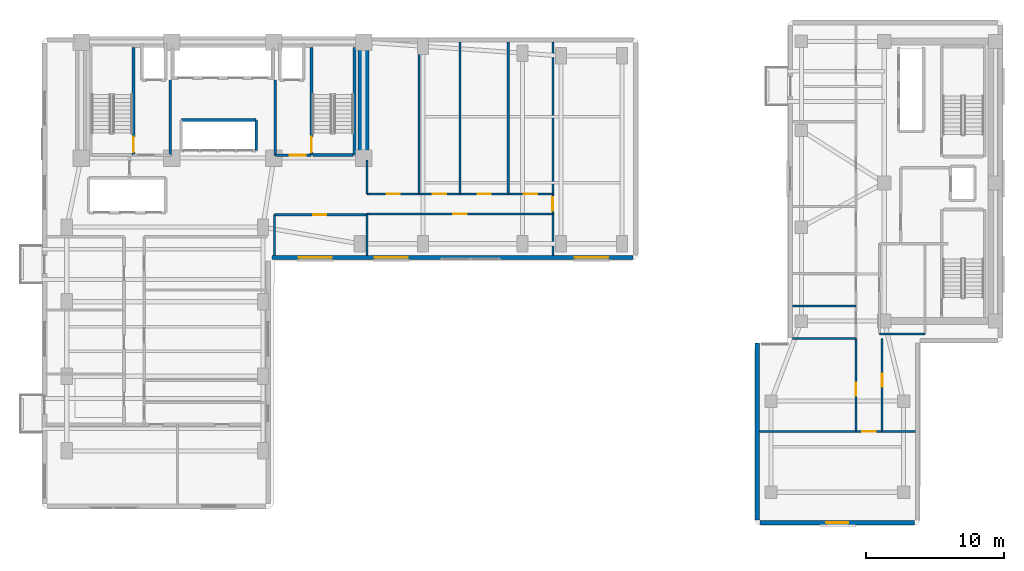
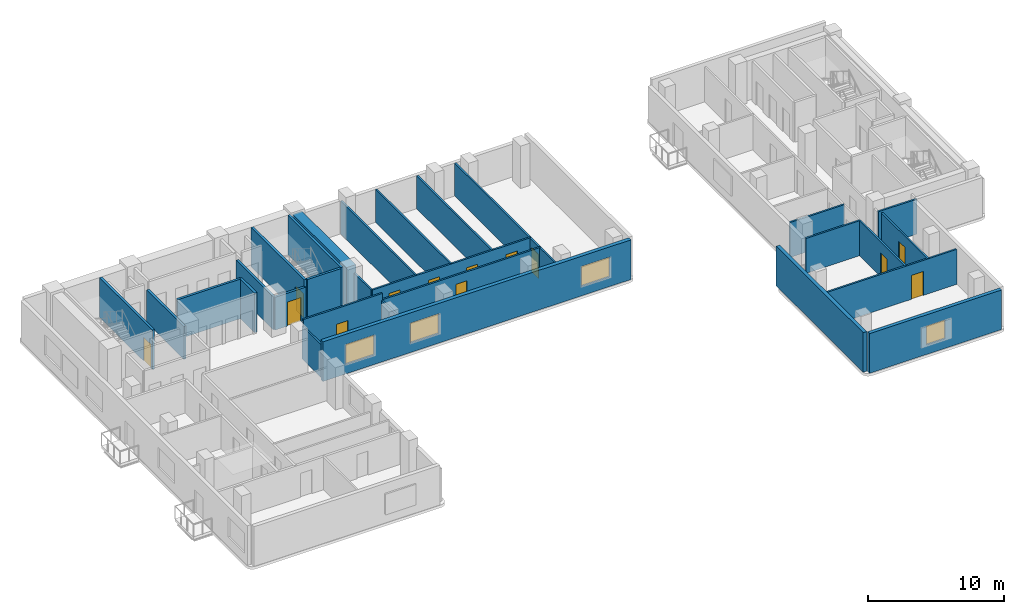
# One storey, part 10 of 16: 29 walls, 13 doors, 4 windows, 17 openings.
"""IFC4 building model written with IfcOpenShell, lengths in metres."""

from ifc_helpers import new_model, si_unit, direction, frame, frame_2d, origin, place, context, subcontext, project, spatial, rectangle, extrude, material, layer, layer_set, type_object, element, fill, save


model = new_model("IFC4")

# Units and contexts
model_context = context("Model", 3, precision=1e-05, world=origin(), true_north=direction((0.0, 1.0)))
body_context = subcontext(model_context, "Body", "Model", "MODEL_VIEW")
ifc_project = project(units=[si_unit("LENGTHUNIT", "METRE"), si_unit("AREAUNIT", "SQUARE_METRE"), si_unit("VOLUMEUNIT", "CUBIC_METRE"), si_unit("PLANEANGLEUNIT", "RADIAN"), si_unit("MASSUNIT", "GRAM", prefix="KILO")], contexts=[model_context])

# Site, building, storey
site_placement = place(None, origin())
site = spatial("IfcSite", under=ifc_project, at=site_placement, CompositionType="ELEMENT")
building_placement = place(site_placement, origin())
building = spatial("IfcBuilding", under=site, at=building_placement, Name="Kuzgunbayir Cultural Tower", CompositionType="ELEMENT")
storey_placement = place(building_placement, frame((0.0, 0.0, 75.60009765625)))
storey = spatial("IfcBuildingStorey", under=building, at=storey_placement, Name="L21", CompositionType="ELEMENT", Elevation=75.60009765625)

# Wall
ifc_material_1 = material(Name="Concrete C60/75", Category="concrete")
ifc_layer_1 = layer(ifc_material_1, 0.800048828125)
ifc_layer_set_1 = layer_set([ifc_layer_1], Name="Concrete C60/75")
wall_type_1 = type_object("IfcWallType", Name="WAL-CORE-800", PredefinedType="SHEAR", material=ifc_layer_set_1)
wall_1_placement = place(storey_placement, frame((26.89990234375, 33.800048828125, 0.0), z_axis=(0.0, 0.0, 1.0), x_axis=(0.0, 1.0, 0.0)))
element("IfcWall", 1, at=wall_1_placement, inside=storey, type_object=wall_type_1, Name="L21 T1 Core East Shear Wall", PredefinedType="SHEAR", context=body_context, shape_type="SweptSolid", body=[
    extrude(rectangle(XDim=7.949951171875, YDim=0.800048828125, at=frame_2d((3.97509765625, 0.0))), origin(), (0.0, 0.0, 1.0), 3.559814453125),
])

# Wall, opening, window
ifc_material_2 = material(Name="Anatolian Cream Limestone", Category="masonry")
ifc_layer_2 = layer(ifc_material_2, 0.300048828125)
ifc_layer_set_2 = layer_set([ifc_layer_2], Name="Anatolian Cream Limestone")
wall_type_2 = type_object("IfcWallType", Name="WAL-EXT-STONE-300", PredefinedType="STANDARD", material=ifc_layer_set_2)
wall_2_placement = place(storey_placement, frame((55.60009765625, 7.39990234375, 0.0), z_axis=(0.0, 0.0, 1.0), x_axis=(1.0, 0.0, 0.0)))
wall_2 = element("IfcWall", 2, at=wall_2_placement, inside=storey, type_object=wall_type_2, Name="L21 Companion Wing B South Wall", PredefinedType="STANDARD", context=body_context, shape_type="SweptSolid", body=[
    extrude(rectangle(XDim=11.199951171875, YDim=0.300048828125, at=frame_2d((5.60009765625, 0.0))), origin(), (0.0, 0.0, 1.0), 3.559814453125),
])
opening_1_placement = place(wall_2_placement, frame((4.800048828125, 0.0, 0.85009765625)))
opening_1 = element("IfcOpeningElement", 3, at=opening_1_placement, cuts=wall_2, Name="Opening WC-16", PredefinedType="OPENING", context=body_context, shape_type="SweptSolid", body=[
    extrude(rectangle(XDim=1.60009765625, YDim=1.699951171875, at=frame_2d((0.800048828125, 0.85009765625))), frame((0.0, 0.16015625, 0.0), z_axis=(0.0, -1.0, 0.0), x_axis=(1.0, 0.0, 0.0)), (0.0, 0.0, 1.0), 0.320068359375),
])
ifc_material_3 = material(Name="Solar-Control Triple Glazing", Category="glass")
window_type_1 = type_object("IfcWindowType", Name="WIN-COMP-16", PartitioningType="SINGLE_PANEL", PredefinedType="WINDOW", material=ifc_material_3)
window_1_placement = place(opening_1_placement, origin())
window_1 = element("IfcWindow", 4, at=window_1_placement, inside=storey, type_object=window_type_1, Name="L21 Companion South Window", OverallHeight=1.699951171875, OverallWidth=1.60009765625, PartitioningType="SINGLE_PANEL", PredefinedType="WINDOW", context=body_context, shape_type="SweptSolid", body=[
    extrude(rectangle(XDim=1.60009765625, YDim=1.699951171875, at=frame_2d((0.800048828125, 0.85009765625))), frame((0.0, 0.030029296875, 0.0), z_axis=(0.0, -1.0, 0.0), x_axis=(1.0, 0.0, 0.0)), (0.0, 0.0, 1.0), 0.06005859375),
])
fill(opening_1, window_1)

# Wall
wall_3_placement = place(storey_placement, frame((55.39990234375, 20.39990234375, 0.0), z_axis=(0.0, 0.0, 1.0), x_axis=(0.0, -1.0, 0.0)))
element("IfcWall", 5, at=wall_3_placement, inside=storey, type_object=wall_type_2, Name="L21 Companion Wing B West Wall", PredefinedType="STANDARD", context=body_context, shape_type="SweptSolid", body=[
    extrude(rectangle(XDim=12.7998046875, YDim=0.300048828125, at=frame_2d((6.39990234375, 0.0))), origin(), (0.0, 0.0, 1.0), 3.559814453125),
])

# Wall, openings, windows
ifc_material_4 = material(Name="Travertine Buff Ashlar", Category="masonry")
ifc_layer_3 = layer(ifc_material_4, 0.320068359375)
ifc_layer_set_3 = layer_set([ifc_layer_3], Name="Travertine Buff Ashlar")
wall_type_3 = type_object("IfcWallType", Name="WAL-EXT-STONE-320", PredefinedType="STANDARD", material=ifc_layer_set_3)
wall_4_placement = place(storey_placement, frame((20.25, 26.60009765625, 0.0), z_axis=(0.0, 0.0, 1.0), x_axis=(1.0, 0.0, 0.0)))
wall_4 = element("IfcWall", 6, at=wall_4_placement, inside=storey, type_object=wall_type_3, Name="L21 Wing B South Limestone Wall", PredefinedType="STANDARD", context=body_context, shape_type="SweptSolid", body=[
    extrude(rectangle(XDim=26.14990234375, YDim=0.320068359375, at=frame_2d((13.074951171875, 0.0))), origin(), (0.0, 0.0, 1.0), 3.559814453125),
])
opening_2_placement = place(wall_4_placement, frame((1.949951171875, 0.0, 0.85009765625)))
opening_2 = element("IfcOpeningElement", 7, at=opening_2_placement, cuts=wall_4, Name="Opening WO-24", PredefinedType="OPENING", context=body_context, shape_type="SweptSolid", body=[
    extrude(rectangle(XDim=2.39990234375, YDim=1.800048828125, at=frame_2d((1.199951171875, 0.89990234375))), frame((0.0, 0.169921875, 0.0), z_axis=(0.0, -1.0, 0.0), x_axis=(1.0, 0.0, 0.0)), (0.0, 0.0, 1.0), 0.340087890625),
])
opening_3_placement = place(wall_4_placement, frame((7.449951171875, 0.0, 0.85009765625)))
opening_3 = element("IfcOpeningElement", 8, at=opening_3_placement, cuts=wall_4, Name="Opening WO-24", PredefinedType="OPENING", context=body_context, shape_type="SweptSolid", body=[
    extrude(rectangle(XDim=2.39990234375, YDim=1.800048828125, at=frame_2d((1.199951171875, 0.89990234375))), frame((0.0, 0.169921875, 0.0), z_axis=(0.0, -1.0, 0.0), x_axis=(1.0, 0.0, 0.0)), (0.0, 0.0, 1.0), 0.340087890625),
])
opening_4_placement = place(wall_4_placement, frame((21.949951171875, 0.0, 0.85009765625)))
opening_4 = element("IfcOpeningElement", 9, at=opening_4_placement, cuts=wall_4, Name="Opening WO-24", PredefinedType="OPENING", context=body_context, shape_type="SweptSolid", body=[
    extrude(rectangle(XDim=2.39990234375, YDim=1.800048828125, at=frame_2d((1.199951171875, 0.89990234375))), frame((0.0, 0.169921875, 0.0), z_axis=(0.0, -1.0, 0.0), x_axis=(1.0, 0.0, 0.0)), (0.0, 0.0, 1.0), 0.340087890625),
])
window_type_2 = type_object("IfcWindowType", Name="WIN-OFFICE-24", PartitioningType="SINGLE_PANEL", PredefinedType="WINDOW", material=ifc_material_3)
window_2_placement = place(opening_2_placement, origin())
window_2 = element("IfcWindow", 10, at=window_2_placement, inside=storey, type_object=window_type_2, Name="L21 WBS Facade Window 8", OverallHeight=1.800048828125, OverallWidth=2.39990234375, PartitioningType="SINGLE_PANEL", PredefinedType="WINDOW", context=body_context, shape_type="SweptSolid", body=[
    extrude(rectangle(XDim=2.39990234375, YDim=1.800048828125, at=frame_2d((1.199951171875, 0.89990234375))), frame((0.0, 0.030029296875, 0.0), z_axis=(0.0, -1.0, 0.0), x_axis=(1.0, 0.0, 0.0)), (0.0, 0.0, 1.0), 0.06005859375),
])
fill(opening_2, window_2)
window_3_placement = place(opening_3_placement, origin())
window_3 = element("IfcWindow", 11, at=window_3_placement, inside=storey, type_object=window_type_2, Name="L21 WBS Facade Window 9", OverallHeight=1.800048828125, OverallWidth=2.39990234375, PartitioningType="SINGLE_PANEL", PredefinedType="WINDOW", context=body_context, shape_type="SweptSolid", body=[
    extrude(rectangle(XDim=2.39990234375, YDim=1.800048828125, at=frame_2d((1.199951171875, 0.89990234375))), frame((0.0, 0.030029296875, 0.0), z_axis=(0.0, -1.0, 0.0), x_axis=(1.0, 0.0, 0.0)), (0.0, 0.0, 1.0), 0.06005859375),
])
fill(opening_3, window_3)
window_4_placement = place(opening_4_placement, origin())
window_4 = element("IfcWindow", 12, at=window_4_placement, inside=storey, type_object=window_type_2, Name="L21 WBS Facade Window 10", OverallHeight=1.800048828125, OverallWidth=2.39990234375, PartitioningType="SINGLE_PANEL", PredefinedType="WINDOW", context=body_context, shape_type="SweptSolid", body=[
    extrude(rectangle(XDim=2.39990234375, YDim=1.800048828125, at=frame_2d((1.199951171875, 0.89990234375))), frame((0.0, 0.030029296875, 0.0), z_axis=(0.0, -1.0, 0.0), x_axis=(1.0, 0.0, 0.0)), (0.0, 0.0, 1.0), 0.06005859375),
])
fill(opening_4, window_4)

# Wall, opening, door
ifc_material_5 = material(Name="Acoustic Double-Stud Drywall", Category="gypsum")
ifc_layer_4 = layer(ifc_material_5, 0.14990234375)
ifc_layer_set_4 = layer_set([ifc_layer_4], Name="Acoustic Double-Stud Drywall")
wall_type_4 = type_object("IfcWallType", Name="WAL-PART-ACOUSTIC-150", PredefinedType="PARTITIONING", material=ifc_layer_set_4)
wall_5_placement = place(storey_placement, frame((20.449951171875, 29.699951171875, 0.0), z_axis=(0.0, 0.0, 1.0), x_axis=(1.0, 0.0, 0.0)))
wall_5 = element("IfcWall", 13, at=wall_5_placement, inside=storey, type_object=wall_type_4, Name="L21 Waist Alcove North Wall", PredefinedType="PARTITIONING", context=body_context, shape_type="SweptSolid", body=[
    extrude(rectangle(XDim=6.699951171875, YDim=0.14990234375, at=frame_2d((3.35009765625, 0.0))), origin(), (0.0, 0.0, 1.0), 3.559814453125),
])
opening_5_placement = place(wall_5_placement, frame((2.800048828125, 0.0, 0.0)))
opening_5 = element("IfcOpeningElement", 14, at=opening_5_placement, cuts=wall_5, Name="Opening DI-90", PredefinedType="OPENING", context=body_context, shape_type="SweptSolid", body=[
    extrude(rectangle(XDim=0.949951171875, YDim=2.14990234375, at=frame_2d((0.47509765625, 1.074951171875))), frame((0.0, 0.0849609375, 0.0), z_axis=(0.0, -1.0, 0.0), x_axis=(1.0, 0.0, 0.0)), (0.0, 0.0, 1.0), 0.169921875),
])
ifc_material_6 = material(Name="Veneered Oak Single Leaf", Category="wood")
door_type_1 = type_object("IfcDoorType", Name="DR-INT-90", OperationType="NOTDEFINED", PredefinedType="DOOR", material=ifc_material_6)
door_1_placement = place(opening_5_placement, origin())
door_1 = element("IfcDoor", 15, at=door_1_placement, inside=storey, type_object=door_type_1, Name="L21 Waist Alcove Door", OperationType="SINGLE_SWING_LEFT", OverallHeight=2.14990234375, OverallWidth=0.949951171875, PredefinedType="DOOR", context=body_context, shape_type="SweptSolid", body=[
    extrude(rectangle(XDim=0.949951171875, YDim=2.14990234375, at=frame_2d((0.47509765625, 1.074951171875))), frame((0.0, 0.02490234375, 0.0), z_axis=(0.0, -1.0, 0.0), x_axis=(1.0, 0.0, 0.0)), (0.0, 0.0, 1.0), 0.050048828125),
])
fill(opening_5, door_1)

# Walls
wall_6_placement = place(storey_placement, frame((20.449951171875, 26.75, 0.0), z_axis=(0.0, 0.0, 1.0), x_axis=(0.0, 1.0, 0.0)))
element("IfcWall", 16, at=wall_6_placement, inside=storey, type_object=wall_type_4, Name="L21 Waist Alcove West Wall", PredefinedType="PARTITIONING", context=body_context, shape_type="SweptSolid", body=[
    extrude(rectangle(XDim=2.949951171875, YDim=0.14990234375, at=frame_2d((1.47509765625, 0.0))), origin(), (0.0, 0.0, 1.0), 2.949951171875),
])
wall_7_placement = place(storey_placement, frame((27.14990234375, 26.75, 0.0), z_axis=(0.0, 0.0, 1.0), x_axis=(0.0, 1.0, 0.0)))
element("IfcWall", 17, at=wall_7_placement, inside=storey, type_object=wall_type_4, Name="L21 Waist Alcove East Wall", PredefinedType="PARTITIONING", context=body_context, shape_type="SweptSolid", body=[
    extrude(rectangle(XDim=3.0, YDim=0.14990234375, at=frame_2d((1.5, 0.0))), origin(), (0.0, 0.0, 1.0), 2.949951171875),
])

# Wall, opening, door
wall_8_placement = place(storey_placement, frame((27.14990234375, 29.75, 0.0), z_axis=(0.0, 0.0, 1.0), x_axis=(1.0, 0.0, 0.0)))
wall_8 = element("IfcWall", 18, at=wall_8_placement, inside=storey, type_object=wall_type_4, Name="L21 Wing B Corridor South Wall", PredefinedType="PARTITIONING", context=body_context, shape_type="SweptSolid", body=[
    extrude(rectangle(XDim=13.4501953125, YDim=0.14990234375, at=frame_2d((6.72509765625, 0.0))), origin(), (0.0, 0.0, 1.0), 2.949951171875),
])
opening_6_placement = place(wall_8_placement, frame((6.25, 0.0, 0.0)))
opening_6 = element("IfcOpeningElement", 19, at=opening_6_placement, cuts=wall_8, Name="Opening DI-90", PredefinedType="OPENING", context=body_context, shape_type="SweptSolid", body=[
    extrude(rectangle(XDim=0.949951171875, YDim=2.14990234375, at=frame_2d((0.47509765625, 1.074951171875))), frame((0.0, 0.0849609375, 0.0), z_axis=(0.0, -1.0, 0.0), x_axis=(1.0, 0.0, 0.0)), (0.0, 0.0, 1.0), 0.169921875),
])
door_2_placement = place(opening_6_placement, origin())
door_2 = element("IfcDoor", 20, at=door_2_placement, inside=storey, type_object=door_type_1, Name="L21 Wing B Art Publication Salon 1 Door", OperationType="SINGLE_SWING_RIGHT", OverallHeight=2.14990234375, OverallWidth=0.949951171875, PredefinedType="DOOR", context=body_context, shape_type="SweptSolid", body=[
    extrude(rectangle(XDim=0.949951171875, YDim=2.14990234375, at=frame_2d((0.47509765625, 1.074951171875))), frame((0.0, 0.02490234375, 0.0), z_axis=(0.0, -1.0, 0.0), x_axis=(1.0, 0.0, 0.0)), (0.0, 0.0, 1.0), 0.050048828125),
])
fill(opening_6, door_2)

# Wall, openings, doors
wall_9_placement = place(storey_placement, frame((27.14990234375, 31.199951171875, 0.0), z_axis=(0.0, 0.0, 1.0), x_axis=(1.0, 0.0, 0.0)))
wall_9 = element("IfcWall", 21, at=wall_9_placement, inside=storey, type_object=wall_type_4, Name="L21 Wing B Corridor North Wall", PredefinedType="PARTITIONING", context=body_context, shape_type="SweptSolid", body=[
    extrude(rectangle(XDim=13.4501953125, YDim=0.14990234375, at=frame_2d((6.72509765625, 0.0))), origin(), (0.0, 0.0, 1.0), 2.949951171875),
])
opening_7_placement = place(wall_9_placement, frame((1.409912109375, 0.0, 0.0)))
opening_7 = element("IfcOpeningElement", 22, at=opening_7_placement, cuts=wall_9, Name="Opening DI-90", PredefinedType="OPENING", context=body_context, shape_type="SweptSolid", body=[
    extrude(rectangle(XDim=0.949951171875, YDim=2.14990234375, at=frame_2d((0.47509765625, 1.074951171875))), frame((0.0, 0.0849609375, 0.0), z_axis=(0.0, -1.0, 0.0), x_axis=(1.0, 0.0, 0.0)), (0.0, 0.0, 1.0), 0.169921875),
])
opening_8_placement = place(wall_9_placement, frame((4.77001953125, 0.0, 0.0)))
opening_8 = element("IfcOpeningElement", 23, at=opening_8_placement, cuts=wall_9, Name="Opening DI-90", PredefinedType="OPENING", context=body_context, shape_type="SweptSolid", body=[
    extrude(rectangle(XDim=0.949951171875, YDim=2.14990234375, at=frame_2d((0.47509765625, 1.074951171875))), frame((0.0, 0.0849609375, 0.0), z_axis=(0.0, -1.0, 0.0), x_axis=(1.0, 0.0, 0.0)), (0.0, 0.0, 1.0), 0.169921875),
])
opening_9_placement = place(wall_9_placement, frame((8.0, 0.0, 0.0)))
opening_9 = element("IfcOpeningElement", 24, at=opening_9_placement, cuts=wall_9, Name="Opening DI-90", PredefinedType="OPENING", context=body_context, shape_type="SweptSolid", body=[
    extrude(rectangle(XDim=0.949951171875, YDim=2.14990234375, at=frame_2d((0.47509765625, 1.074951171875))), frame((0.0, 0.0849609375, 0.0), z_axis=(0.0, -1.0, 0.0), x_axis=(1.0, 0.0, 0.0)), (0.0, 0.0, 1.0), 0.169921875),
])
opening_10_placement = place(wall_9_placement, frame((11.360107421875, 0.0, 0.0)))
opening_10 = element("IfcOpeningElement", 25, at=opening_10_placement, cuts=wall_9, Name="Opening DI-90", PredefinedType="OPENING", context=body_context, shape_type="SweptSolid", body=[
    extrude(rectangle(XDim=0.949951171875, YDim=2.14990234375, at=frame_2d((0.47509765625, 1.074951171875))), frame((0.0, 0.0849609375, 0.0), z_axis=(0.0, -1.0, 0.0), x_axis=(1.0, 0.0, 0.0)), (0.0, 0.0, 1.0), 0.169921875),
])
door_3_placement = place(opening_7_placement, origin())
door_3 = element("IfcDoor", 26, at=door_3_placement, inside=storey, type_object=door_type_1, Name="L21 Wing B North Art Publication Salon 1 Door", OperationType="SINGLE_SWING_LEFT", OverallHeight=2.14990234375, OverallWidth=0.949951171875, PredefinedType="DOOR", context=body_context, shape_type="SweptSolid", body=[
    extrude(rectangle(XDim=0.949951171875, YDim=2.14990234375, at=frame_2d((0.47509765625, 1.074951171875))), frame((0.0, 0.02490234375, 0.0), z_axis=(0.0, -1.0, 0.0), x_axis=(1.0, 0.0, 0.0)), (0.0, 0.0, 1.0), 0.050048828125),
])
fill(opening_7, door_3)
door_4_placement = place(opening_8_placement, origin())
door_4 = element("IfcDoor", 27, at=door_4_placement, inside=storey, type_object=door_type_1, Name="L21 Wing B North Culinary Tasting Pantry 2 Door", OperationType="SINGLE_SWING_RIGHT", OverallHeight=2.14990234375, OverallWidth=0.949951171875, PredefinedType="DOOR", context=body_context, shape_type="SweptSolid", body=[
    extrude(rectangle(XDim=0.949951171875, YDim=2.14990234375, at=frame_2d((0.47509765625, 1.074951171875))), frame((0.0, 0.02490234375, 0.0), z_axis=(0.0, -1.0, 0.0), x_axis=(1.0, 0.0, 0.0)), (0.0, 0.0, 1.0), 0.050048828125),
])
fill(opening_8, door_4)
door_5_placement = place(opening_9_placement, origin())
door_5 = element("IfcDoor", 28, at=door_5_placement, inside=storey, type_object=door_type_1, Name="L21 Wing B North Fellows Reading Lounge 3 Door", OperationType="SINGLE_SWING_LEFT", OverallHeight=2.14990234375, OverallWidth=0.949951171875, PredefinedType="DOOR", context=body_context, shape_type="SweptSolid", body=[
    extrude(rectangle(XDim=0.949951171875, YDim=2.14990234375, at=frame_2d((0.47509765625, 1.074951171875))), frame((0.0, 0.02490234375, 0.0), z_axis=(0.0, -1.0, 0.0), x_axis=(1.0, 0.0, 0.0)), (0.0, 0.0, 1.0), 0.050048828125),
])
fill(opening_9, door_5)
door_6_placement = place(opening_10_placement, origin())
door_6 = element("IfcDoor", 29, at=door_6_placement, inside=storey, type_object=door_type_1, Name="L21 Wing B North Curatorial Office 4 Door", OperationType="SINGLE_SWING_RIGHT", OverallHeight=2.14990234375, OverallWidth=0.949951171875, PredefinedType="DOOR", context=body_context, shape_type="SweptSolid", body=[
    extrude(rectangle(XDim=0.949951171875, YDim=2.14990234375, at=frame_2d((0.47509765625, 1.074951171875))), frame((0.0, 0.02490234375, 0.0), z_axis=(0.0, -1.0, 0.0), x_axis=(1.0, 0.0, 0.0)), (0.0, 0.0, 1.0), 0.050048828125),
])
fill(opening_10, door_6)

# Wall
wall_10_placement = place(storey_placement, frame((27.14990234375, 31.199951171875, 0.0), z_axis=(0.0, 0.0, 1.0), x_axis=(0.0, 1.0, 0.0)))
element("IfcWall", 30, at=wall_10_placement, inside=storey, type_object=wall_type_4, Name="L21 Wing B North Core Closure Wall", PredefinedType="PARTITIONING", context=body_context, shape_type="SweptSolid", body=[
    extrude(rectangle(XDim=2.47998046875, YDim=0.14990234375, at=frame_2d((1.239990234375, 0.0))), origin(), (0.0, 0.0, 1.0), 2.949951171875),
])

# Wall, opening, door
wall_11_placement = place(storey_placement, frame((40.60009765625, 26.75, 0.0), z_axis=(0.0, 0.0, 1.0), x_axis=(0.0, 1.0, 0.0)))
wall_11 = element("IfcWall", 31, at=wall_11_placement, inside=storey, type_object=wall_type_4, Name="L21 Wing B East Suite Wall", PredefinedType="PARTITIONING", context=body_context, shape_type="SweptSolid", body=[
    extrude(rectangle(XDim=15.449951171875, YDim=0.14990234375, at=frame_2d((7.72509765625, 0.0))), origin(), (0.0, 0.0, 1.0), 2.949951171875),
])
opening_11_placement = place(wall_11_placement, frame((3.219970703125, 0.0, 0.0)))
opening_11 = element("IfcOpeningElement", 32, at=opening_11_placement, cuts=wall_11, Name="Opening DI-100", PredefinedType="OPENING", context=body_context, shape_type="SweptSolid", body=[
    extrude(rectangle(XDim=1.0, YDim=2.14990234375, at=frame_2d((0.5, 1.074951171875))), frame((0.0, 0.0849609375, 0.0), z_axis=(0.0, -1.0, 0.0), x_axis=(1.0, 0.0, 0.0)), (0.0, 0.0, 1.0), 0.169921875),
])
door_type_2 = type_object("IfcDoorType", Name="DR-INT-100", OperationType="NOTDEFINED", PredefinedType="DOOR", material=ifc_material_6)
door_7_placement = place(opening_11_placement, origin())
door_7 = element("IfcDoor", 33, at=door_7_placement, inside=storey, type_object=door_type_2, Name="L21 East Conference Hall Door", OperationType="SINGLE_SWING_LEFT", OverallHeight=2.14990234375, OverallWidth=1.0, PredefinedType="DOOR", context=body_context, shape_type="SweptSolid", body=[
    extrude(rectangle(XDim=1.0, YDim=2.14990234375, at=frame_2d((0.5, 1.074951171875))), frame((0.0, 0.02490234375, 0.0), z_axis=(0.0, -1.0, 0.0), x_axis=(1.0, 0.0, 0.0)), (0.0, 0.0, 1.0), 0.050048828125),
])
fill(opening_11, door_7)

# Walls
for number, where, z_axis, x_axis, name in (
    (34, (30.919921875, 31.199951171875, 0.0), (0.0, 0.0, 1.0), (0.0, 1.0, 0.0), "L21 Wing B North Partition 1"),
    (35, (33.8798828125, 31.199951171875, 0.0), (0.0, 0.0, 1.0), (0.0, 1.0, 0.0), "L21 Wing B North Partition 2"),
    (36, (37.3701171875, 31.199951171875, 0.0), (0.0, 0.0, 1.0), (0.0, 1.0, 0.0), "L21 Wing B North Partition 3"),
):
    element("IfcWall", number, at=place(storey_placement, frame(where, z_axis=z_axis, x_axis=x_axis)), inside=storey, type_object=wall_type_4, Name=name, PredefinedType="PARTITIONING", context=body_context, shape_type="SweptSolid", body=[
        extrude(rectangle(XDim=11.0, YDim=0.14990234375, at=frame_2d((5.5, 0.0))), origin(), (0.0, 0.0, 1.0), 2.949951171875),
    ])
wall_12_placement = place(storey_placement, frame((64.25, 21.050048828125, 0.0), z_axis=(0.0, 0.0, 1.0), x_axis=(1.0, 0.0, 0.0)))
element("IfcWall", 37, at=wall_12_placement, inside=storey, type_object=wall_type_4, Name="L21 Companion Archive South Wall", PredefinedType="PARTITIONING", context=body_context, shape_type="SweptSolid", body=[
    extrude(rectangle(XDim=3.300048828125, YDim=0.14990234375, at=frame_2d((1.64990234375, 0.0))), origin(), (0.0, 0.0, 1.0), 3.139892578125),
])

# Wall, opening, door
wall_13_placement = place(storey_placement, frame((62.550048828125, 14.0, 0.0), z_axis=(0.0, 0.0, 1.0), x_axis=(0.0, 1.0, 0.0)))
wall_13 = element("IfcWall", 38, at=wall_13_placement, inside=storey, type_object=wall_type_4, Name="L21 Companion South Corridor West Wall", PredefinedType="PARTITIONING", context=body_context, shape_type="SweptSolid", body=[
    extrude(rectangle(XDim=6.75, YDim=0.14990234375, at=frame_2d((3.375, 0.0))), origin(), (0.0, 0.0, 1.0), 3.139892578125),
])
opening_12_placement = place(wall_13_placement, frame((2.60009765625, 0.0, 0.0)))
opening_12 = element("IfcOpeningElement", 39, at=opening_12_placement, cuts=wall_13, Name="Opening DI-90", PredefinedType="OPENING", context=body_context, shape_type="SweptSolid", body=[
    extrude(rectangle(XDim=0.949951171875, YDim=2.14990234375, at=frame_2d((0.47509765625, 1.074951171875))), frame((0.0, 0.0849609375, 0.0), z_axis=(0.0, -1.0, 0.0), x_axis=(1.0, 0.0, 0.0)), (0.0, 0.0, 1.0), 0.169921875),
])
door_8_placement = place(opening_12_placement, origin())
door_8 = element("IfcDoor", 40, at=door_8_placement, inside=storey, type_object=door_type_1, Name="L21 Companion West Atelier Door", OperationType="SINGLE_SWING_LEFT", OverallHeight=2.14990234375, OverallWidth=0.949951171875, PredefinedType="DOOR", context=body_context, shape_type="SweptSolid", body=[
    extrude(rectangle(XDim=0.949951171875, YDim=2.14990234375, at=frame_2d((0.47509765625, 1.074951171875))), frame((0.0, 0.02490234375, 0.0), z_axis=(0.0, -1.0, 0.0), x_axis=(1.0, 0.0, 0.0)), (0.0, 0.0, 1.0), 0.050048828125),
])
fill(opening_12, door_8)

wall_14_placement = place(storey_placement, frame((55.550048828125, 14.0, 0.0), z_axis=(0.0, 0.0, 1.0), x_axis=(1.0, 0.0, 0.0)))
wall_14 = element("IfcWall", 41, at=wall_14_placement, inside=storey, type_object=wall_type_4, Name="L21 Companion South Gallery Wall", PredefinedType="PARTITIONING", context=body_context, shape_type="SweptSolid", body=[
    extrude(rectangle(XDim=11.300048828125, YDim=0.14990234375, at=frame_2d((5.64990234375, 0.0))), origin(), (0.0, 0.0, 1.0), 3.139892578125),
])
opening_13_placement = place(wall_14_placement, frame((7.449951171875, 0.0, 0.0)))
opening_13 = element("IfcOpeningElement", 42, at=opening_13_placement, cuts=wall_14, Name="Opening DI-100", PredefinedType="OPENING", context=body_context, shape_type="SweptSolid", body=[
    extrude(rectangle(XDim=1.0, YDim=2.14990234375, at=frame_2d((0.5, 1.074951171875))), frame((0.0, 0.0849609375, 0.0), z_axis=(0.0, -1.0, 0.0), x_axis=(1.0, 0.0, 0.0)), (0.0, 0.0, 1.0), 0.169921875),
])
door_9_placement = place(opening_13_placement, origin())
door_9 = element("IfcDoor", 43, at=door_9_placement, inside=storey, type_object=door_type_2, Name="L21 Companion South Salon Door", OperationType="SINGLE_SWING_LEFT", OverallHeight=2.14990234375, OverallWidth=1.0, PredefinedType="DOOR", context=body_context, shape_type="SweptSolid", body=[
    extrude(rectangle(XDim=1.0, YDim=2.14990234375, at=frame_2d((0.5, 1.074951171875))), frame((0.0, 0.02490234375, 0.0), z_axis=(0.0, -1.0, 0.0), x_axis=(1.0, 0.0, 0.0)), (0.0, 0.0, 1.0), 0.050048828125),
])
fill(opening_13, door_9)

wall_15_placement = place(storey_placement, frame((64.449951171875, 14.0, 0.0), z_axis=(0.0, 0.0, 1.0), x_axis=(0.0, 1.0, 0.0)))
wall_15 = element("IfcWall", 44, at=wall_15_placement, inside=storey, type_object=wall_type_4, Name="L21 Companion South Corridor East Wall", PredefinedType="PARTITIONING", context=body_context, shape_type="SweptSolid", body=[
    extrude(rectangle(XDim=6.75, YDim=0.14990234375, at=frame_2d((3.375, 0.0))), origin(), (0.0, 0.0, 1.0), 3.139892578125),
])
opening_14_placement = place(wall_15_placement, frame((3.239990234375, 0.0, 0.0)))
opening_14 = element("IfcOpeningElement", 45, at=opening_14_placement, cuts=wall_15, Name="Opening DI-90", PredefinedType="OPENING", context=body_context, shape_type="SweptSolid", body=[
    extrude(rectangle(XDim=0.949951171875, YDim=2.14990234375, at=frame_2d((0.47509765625, 1.074951171875))), frame((0.0, 0.0849609375, 0.0), z_axis=(0.0, -1.0, 0.0), x_axis=(1.0, 0.0, 0.0)), (0.0, 0.0, 1.0), 0.169921875),
])
door_10_placement = place(opening_14_placement, origin())
door_10 = element("IfcDoor", 46, at=door_10_placement, inside=storey, type_object=door_type_1, Name="L21 Companion East Studio Door", OperationType="SINGLE_SWING_RIGHT", OverallHeight=2.14990234375, OverallWidth=0.949951171875, PredefinedType="DOOR", context=body_context, shape_type="SweptSolid", body=[
    extrude(rectangle(XDim=0.949951171875, YDim=2.14990234375, at=frame_2d((0.47509765625, 1.074951171875))), frame((0.0, 0.02490234375, 0.0), z_axis=(0.0, -1.0, 0.0), x_axis=(1.0, 0.0, 0.0)), (0.0, 0.0, 1.0), 0.050048828125),
])
fill(opening_14, door_10)

# Walls
ifc_material_7 = material(Name="Aerated Concrete Blockwork", Category="masonry")
ifc_layer_5 = layer(ifc_material_7, 0.199951171875)
ifc_layer_set_5 = layer_set([ifc_layer_5], Name="Aerated Concrete Blockwork")
wall_type_5 = type_object("IfcWallType", Name="WAL-PART-FIRE-200", PredefinedType="PARTITIONING", material=ifc_layer_set_5)
for number, where, z_axis, x_axis, name in (
    (47, (12.89990234375, 34.0, 0.0), (0.0, 0.0, 1.0), (0.0, 1.0, 0.0), "L21 FFL-1 Lobby East Fire Wall"),
    (48, (20.5, 34.0, 0.0), (0.0, 0.0, 1.0), (0.0, 1.0, 0.0), "L21 FFL-2 Lobby West Fire Wall"),
):
    element("IfcWall", number, at=place(storey_placement, frame(where, z_axis=z_axis, x_axis=x_axis)), inside=storey, type_object=wall_type_5, Name=name, PredefinedType="PARTITIONING", context=body_context, shape_type="SweptSolid", body=[
        extrude(rectangle(XDim=5.449951171875, YDim=0.199951171875, at=frame_2d((2.72509765625, 0.0))), origin(), (0.0, 0.0, 1.0), 2.949951171875),
    ])

# Wall, opening, door
wall_16_placement = place(storey_placement, frame((20.5, 34.0, 0.0), z_axis=(0.0, 0.0, 1.0), x_axis=(1.0, 0.0, 0.0)))
wall_16 = element("IfcWall", 49, at=wall_16_placement, inside=storey, type_object=wall_type_5, Name="L21 FFL-2 Lobby South Fire Wall", PredefinedType="PARTITIONING", context=body_context, shape_type="SweptSolid", body=[
    extrude(rectangle(XDim=2.60009765625, YDim=0.199951171875, at=frame_2d((1.300048828125, 0.0))), origin(), (0.0, 0.0, 1.0), 2.949951171875),
])
opening_15_placement = place(wall_16_placement, frame((1.050048828125, 0.0, 0.0)))
opening_15 = element("IfcOpeningElement", 50, at=opening_15_placement, cuts=wall_16, Name="Opening DR-FFL-90", PredefinedType="OPENING", context=body_context, shape_type="SweptSolid", body=[
    extrude(rectangle(XDim=1.14990234375, YDim=2.14990234375, at=frame_2d((0.574951171875, 1.074951171875))), frame((0.0, 0.10986328125, 0.0), z_axis=(0.0, -1.0, 0.0), x_axis=(1.0, 0.0, 0.0)), (0.0, 0.0, 1.0), 0.219970703125),
])
ifc_material_8 = material(Name="Steel S355J2", Category="steel")
door_type_3 = type_object("IfcDoorType", Name="DR-FFL-90", OperationType="NOTDEFINED", PredefinedType="DOOR", material=ifc_material_8)
door_11_placement = place(opening_15_placement, origin())
door_11 = element("IfcDoor", 51, at=door_11_placement, inside=storey, type_object=door_type_3, Name="L21 Firefighting Lobby 2 Door", OperationType="SINGLE_SWING_RIGHT", OverallHeight=2.14990234375, OverallWidth=1.14990234375, PredefinedType="DOOR", context=body_context, shape_type="SweptSolid", body=[
    extrude(rectangle(XDim=1.14990234375, YDim=2.14990234375, at=frame_2d((0.574951171875, 1.074951171875))), frame((0.0, 0.02490234375, 0.0), z_axis=(0.0, -1.0, 0.0), x_axis=(1.0, 0.0, 0.0)), (0.0, 0.0, 1.0), 0.050048828125),
])
fill(opening_15, door_11)

# Walls
ifc_material_9 = material(Name="Moisture-Resistant Tile Partition", Category="gypsum")
ifc_layer_6 = layer(ifc_material_9, 0.14990234375)
ifc_layer_set_6 = layer_set([ifc_layer_6], Name="Moisture-Resistant Tile Partition")
wall_type_6 = type_object("IfcWallType", Name="WAL-PART-WET-150", PredefinedType="PARTITIONING", material=ifc_layer_set_6)
for number, where, z_axis, x_axis, name in (
    (52, (57.949951171875, 20.75, 0.0), (0.0, 0.0, 1.0), (1.0, 0.0, 0.0), "L21 Companion WC South Wall"),
    (53, (57.949951171875, 23.10009765625, 0.0), (0.0, 0.0, 1.0), (1.0, 0.0, 0.0), "L21 Companion WC North Wall"),
):
    element("IfcWall", number, at=place(storey_placement, frame(where, z_axis=z_axis, x_axis=x_axis)), inside=storey, type_object=wall_type_6, Name=name, PredefinedType="PARTITIONING", context=body_context, shape_type="SweptSolid", body=[
        extrude(rectangle(XDim=4.60009765625, YDim=0.14990234375, at=frame_2d((2.300048828125, 0.0))), origin(), (0.0, 0.0, 1.0), 3.139892578125),
    ])
ifc_material_10 = material(Name="Concrete C40/50", Category="concrete")
ifc_layer_7 = layer(ifc_material_10, 0.199951171875)
ifc_layer_set_7 = layer_set([ifc_layer_7], Name="Concrete C40/50")
wall_type_7 = type_object("IfcWallType", Name="WAL-SHAFT-200", PredefinedType="MOVABLE", material=ifc_layer_set_7)
wall_17_placement = place(storey_placement, frame((13.699951171875, 36.550048828125, 0.0), z_axis=(0.0, 0.0, 1.0), x_axis=(1.0, 0.0, 0.0)))
element("IfcWall", 54, at=wall_17_placement, inside=storey, type_object=wall_type_7, Name="L21 Mid-Rise Lift Shaft North Wall", PredefinedType="MOVABLE", context=body_context, shape_type="SweptSolid", body=[
    extrude(rectangle(XDim=5.420166015625, YDim=0.199951171875, at=frame_2d((2.7099609375, 0.0))), origin(), (0.0, 0.0, 1.0), 3.559814453125),
])
wall_18_placement = place(storey_placement, frame((19.1201171875, 34.35009765625, 0.0), z_axis=(0.0, 0.0, 1.0), x_axis=(0.0, 1.0, 0.0)))
element("IfcWall", 55, at=wall_18_placement, inside=storey, type_object=wall_type_7, Name="L21 Mid-Rise Lift Shaft East Wall", PredefinedType="MOVABLE", context=body_context, shape_type="SweptSolid", body=[
    extrude(rectangle(XDim=2.199951171875, YDim=0.199951171875, at=frame_2d((1.10009765625, 0.0))), origin(), (0.0, 0.0, 1.0), 3.559814453125),
])

# Wall, opening, door
ifc_layer_8 = layer(ifc_material_10, 0.199951171875)
ifc_layer_set_8 = layer_set([ifc_layer_8], Name="Concrete C40/50")
wall_type_8 = type_object("IfcWallType", Name="WAL-STAIR-RC-200", PredefinedType="SHEAR", material=ifc_layer_set_8)
wall_19_placement = place(storey_placement, frame((10.239990234375, 34.02001953125, 0.0), z_axis=(0.0, 0.0, 1.0), x_axis=(0.0, 1.0, 0.0)))
wall_19 = element("IfcWall", 56, at=wall_19_placement, inside=storey, type_object=wall_type_8, Name="L21 Stair ST-1 East Structural Wall", PredefinedType="SHEAR", context=body_context, shape_type="SweptSolid", body=[
    extrude(rectangle(XDim=7.780029296875, YDim=0.199951171875, at=frame_2d((3.89013671875, 0.0))), origin(), (0.0, 0.0, 1.0), 3.559814453125),
])
opening_16_placement = place(wall_19_placement, frame((0.219970703125, 0.0, 0.0)))
opening_16 = element("IfcOpeningElement", 57, at=opening_16_placement, cuts=wall_19, Name="Opening DR-STAIR-90", PredefinedType="OPENING", context=body_context, shape_type="SweptSolid", body=[
    extrude(rectangle(XDim=1.10009765625, YDim=2.14990234375, at=frame_2d((0.550048828125, 1.074951171875))), frame((0.0, 0.10986328125, 0.0), z_axis=(0.0, -1.0, 0.0), x_axis=(1.0, 0.0, 0.0)), (0.0, 0.0, 1.0), 0.219970703125),
])
door_type_4 = type_object("IfcDoorType", Name="DR-STAIR-90", OperationType="NOTDEFINED", PredefinedType="DOOR", material=ifc_material_8)
door_12_placement = place(opening_16_placement, origin())
door_12 = element("IfcDoor", 58, at=door_12_placement, inside=storey, type_object=door_type_4, Name="L21 Stair ST-1 Fire Door", OperationType="SINGLE_SWING_LEFT", OverallHeight=2.14990234375, OverallWidth=1.10009765625, PredefinedType="DOOR", context=body_context, shape_type="SweptSolid", body=[
    extrude(rectangle(XDim=1.10009765625, YDim=2.14990234375, at=frame_2d((0.550048828125, 1.074951171875))), frame((0.0, 0.02490234375, 0.0), z_axis=(0.0, -1.0, 0.0), x_axis=(1.0, 0.0, 0.0)), (0.0, 0.0, 1.0), 0.050048828125),
])
fill(opening_16, door_12)

wall_20_placement = place(storey_placement, frame((23.1201171875, 34.02001953125, 0.0), z_axis=(0.0, 0.0, 1.0), x_axis=(0.0, 1.0, 0.0)))
wall_20 = element("IfcWall", 59, at=wall_20_placement, inside=storey, type_object=wall_type_8, Name="L21 Stair ST-2 West Structural Wall", PredefinedType="SHEAR", context=body_context, shape_type="SweptSolid", body=[
    extrude(rectangle(XDim=7.780029296875, YDim=0.199951171875, at=frame_2d((3.89013671875, 0.0))), origin(), (0.0, 0.0, 1.0), 3.559814453125),
])
opening_17_placement = place(wall_20_placement, frame((0.219970703125, 0.0, 0.0)))
opening_17 = element("IfcOpeningElement", 60, at=opening_17_placement, cuts=wall_20, Name="Opening DR-STAIR-90", PredefinedType="OPENING", context=body_context, shape_type="SweptSolid", body=[
    extrude(rectangle(XDim=1.10009765625, YDim=2.14990234375, at=frame_2d((0.550048828125, 1.074951171875))), frame((0.0, 0.10986328125, 0.0), z_axis=(0.0, -1.0, 0.0), x_axis=(1.0, 0.0, 0.0)), (0.0, 0.0, 1.0), 0.219970703125),
])
door_13_placement = place(opening_17_placement, origin())
door_13 = element("IfcDoor", 61, at=door_13_placement, inside=storey, type_object=door_type_4, Name="L21 Stair ST-2 Fire Door", OperationType="SINGLE_SWING_LEFT", OverallHeight=2.14990234375, OverallWidth=1.10009765625, PredefinedType="DOOR", context=body_context, shape_type="SweptSolid", body=[
    extrude(rectangle(XDim=1.10009765625, YDim=2.14990234375, at=frame_2d((0.550048828125, 1.074951171875))), frame((0.0, 0.02490234375, 0.0), z_axis=(0.0, -1.0, 0.0), x_axis=(1.0, 0.0, 0.0)), (0.0, 0.0, 1.0), 0.050048828125),
])
fill(opening_17, door_13)

# Walls
wall_21_placement = place(storey_placement, frame((26.239990234375, 34.02001953125, 0.0), z_axis=(0.0, 0.0, 1.0), x_axis=(0.0, 1.0, 0.0)))
element("IfcWall", 62, at=wall_21_placement, inside=storey, type_object=wall_type_8, Name="L21 Stair ST-2 East Structural Wall", PredefinedType="SHEAR", context=body_context, shape_type="SweptSolid", body=[
    extrude(rectangle(XDim=7.780029296875, YDim=0.199951171875, at=frame_2d((3.89013671875, 0.0))), origin(), (0.0, 0.0, 1.0), 3.559814453125),
])
wall_22_placement = place(storey_placement, frame((23.239990234375, 34.02001953125, 0.0), z_axis=(0.0, 0.0, 1.0), x_axis=(1.0, 0.0, 0.0)))
element("IfcWall", 63, at=wall_22_placement, inside=storey, type_object=wall_type_8, Name="L21 Stair ST-2 South Structural Wall", PredefinedType="SHEAR", context=body_context, shape_type="SweptSolid", body=[
    extrude(rectangle(XDim=2.880126953125, YDim=0.199951171875, at=frame_2d((1.43994140625, 0.0))), origin(), (0.0, 0.0, 1.0), 3.559814453125),
])

save(model, "model.ifc")
